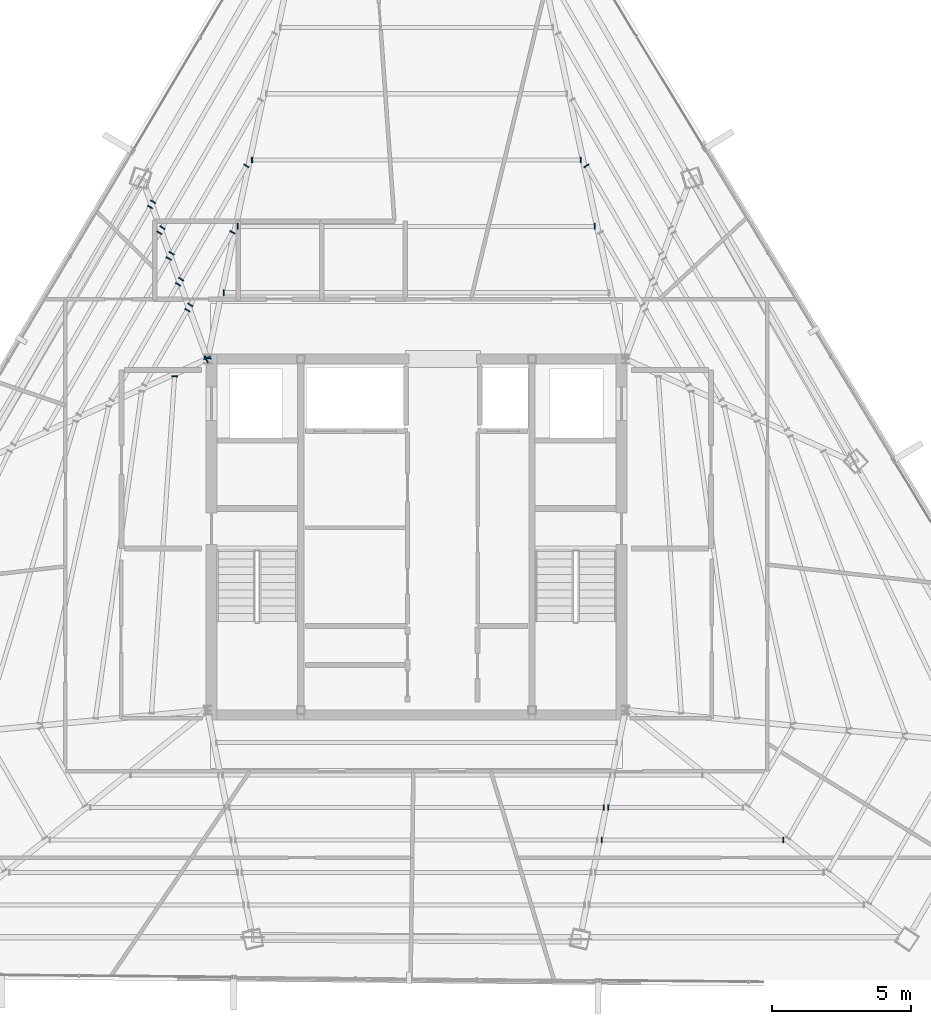
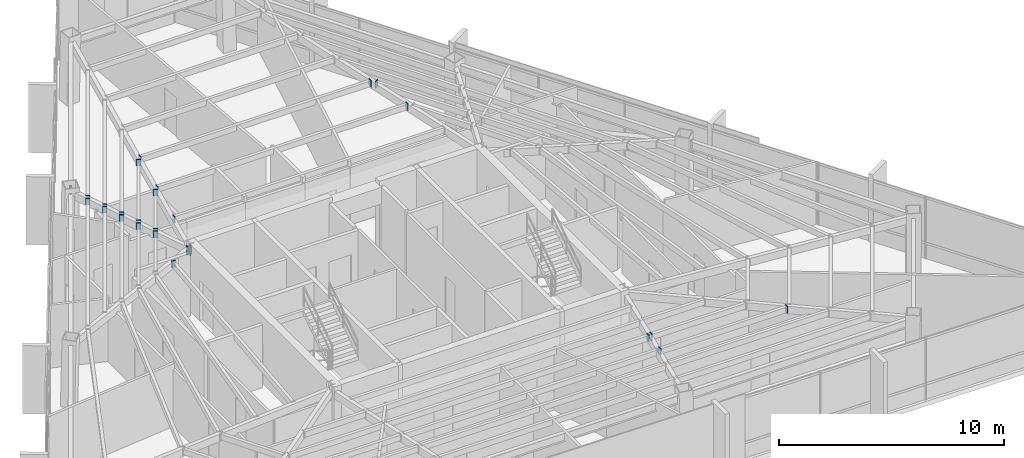
# One storey, part 39 of 47: 26 plates.
"""IFC4 building model written with IfcOpenShell, lengths in metres."""

from ifc_helpers import new_model, si_unit, direction, frame, origin, origin_2d, place, context, subcontext, project, spatial, rectangle, extrude, source, transform, mapped, material, layer, layer_set, type_object, type_shapes, element, save


model = new_model("IFC4")

# Units and contexts
model_context = context("Model", 3, precision=1e-05, world=origin(), true_north=direction((0.0, 1.0)))
body_context = subcontext(model_context, "Body", "Model", "MODEL_VIEW")
ifc_project = project(units=[si_unit("LENGTHUNIT", "METRE"), si_unit("AREAUNIT", "SQUARE_METRE"), si_unit("VOLUMEUNIT", "CUBIC_METRE"), si_unit("PLANEANGLEUNIT", "RADIAN"), si_unit("MASSUNIT", "GRAM", prefix="KILO")], contexts=[model_context])

# Site, building, storey
site_placement = place(None, origin())
site = spatial("IfcSite", under=ifc_project, at=site_placement, CompositionType="ELEMENT")
building_placement = place(site_placement, origin())
building = spatial("IfcBuilding", under=site, at=building_placement, Name="Caelisora Broadcast Tower", CompositionType="ELEMENT")
storey_placement = place(building_placement, frame((0.0, 0.0, 248.10009765625)))
storey = spatial("IfcBuildingStorey", under=building, at=storey_placement, Name="L65", CompositionType="ELEMENT", Elevation=248.10009765625)

# Plates
ifc_material = material(Name="Steel Grade 350 L15 (AS/NZS 3678)", Category="steel")
ifc_layer = layer(ifc_material, 0.0400390625, Name="Steel Grade 350 L15 (AS/NZS 3678)")
ifc_layer_set = layer_set([ifc_layer], Name="Steel Grade 350 L15 (AS/NZS 3678)")
plate_type = type_object("IfcPlateType", Name="GP04", PredefinedType="USERDEFINED", material=ifc_layer_set)
shared_shape_1 = source(origin(), body_context, "Body", "SweptSolid", [
    extrude(rectangle(XDim=0.260009765625, YDim=0.0400390625, at=origin_2d()), origin(), (0.0, 0.0, 1.0), 0.4599609375),
])
for number, where, z_axis, x_axis, name in (
    (1, (30.50830078125, 30.0390625, 2.969970703125), (0.0, 0.0, 1.0), (-0.978147600734, 0.207911690818, 0.0), "L65 gusset plate GP04 (ND-RAD-L65-02)"),
    (2, (30.486328125, 30.03759765625, 2.969970703125), (0.0, 0.0, 1.0), (-0.940466220425, -0.339887169865, 0.0), "L65 gusset plate GP04 (ND-RAD-L65-03)"),
    (3, (30.46337890625, 29.9833984375, 2.969970703125), (0.0, 0.0, 1.0), (0.411673422216, -0.91133143995, 0.0), "L65 gusset plate GP04 (ND-RAD-L65-04)"),
):
    element("IfcPlate", number, at=place(storey_placement, frame(where, z_axis=z_axis, x_axis=x_axis)), inside=storey, type_object=plate_type, Name=name, ObjectType="GUSSET PLATE", PredefinedType="USERDEFINED", context=body_context, shape_type="MappedRepresentation", body=[
        mapped(shared_shape_1, transform((0.0, 0.0, 0.0), scale=1.0)),
    ])
shared_shape_2 = source(origin(), body_context, "Body", "SweptSolid", [
    extrude(rectangle(XDim=0.2099609375, YDim=0.0400390625, at=origin_2d()), origin(), (0.0, 0.0, 1.0), 0.360107421875),
])
type_shapes(plate_type, [shared_shape_1, shared_shape_2])
for number, where, z_axis, x_axis, name in (
    (4, (31.085205078125, 32.380859375, 3.06982421875), (0.0, 0.0, 1.0), (0.0, -1.0, 0.0), "L65 gusset plate GP04 (ND-SB-L65-001B)"),
    (5, (44.408447265625, 34.761962890625, 3.06982421875), (0.0, 0.0, 1.0), (0.0, -1.0, 0.0), "L65 gusset plate GP04 (ND-SB-L65-002A)"),
    (6, (31.591552734375, 34.761962890625, 3.06982421875), (0.0, 0.0, 1.0), (0.0, -1.0, 0.0), "L65 gusset plate GP04 (ND-SB-L65-002B)"),
    (7, (43.90234375, 37.142822265625, 3.06982421875), (0.0, 0.0, 1.0), (0.0, -1.0, 0.0), "L65 gusset plate GP04 (ND-SB-L65-003A)"),
    (8, (32.09765625, 37.142822265625, 3.06982421875), (0.0, 0.0, 1.0), (0.0, -1.0, 0.0), "L65 gusset plate GP04 (ND-SB-L65-003B)"),
    (9, (31.39208984375, 34.5537109375, 3.06982421875), (0.0, 0.0, 1.0), (0.866025403784, -0.5, 0.0), "L65 gusset plate GP04 (ND-SB-L65-007A)"),
    (10, (29.885009765625, 31.943603515625, 3.06982421875), (0.0, 0.0, 1.0), (0.866025403784, -0.5, 0.0), "L65 gusset plate GP04 (ND-SB-L65-007B)"),
    (11, (31.898193359375, 36.934814453125, 3.06982421875), (0.0, 0.0, 1.0), (0.866025403784, -0.5, 0.0), "L65 gusset plate GP04 (ND-SB-L65-008A)"),
    (12, (29.55078125, 32.86865234375, 3.06982421875), (0.0, 0.0, 1.0), (0.866025403784, -0.5, 0.0), "L65 gusset plate GP04 (ND-SB-L65-008B)"),
    (13, (29.21630859375, 33.793701171875, 3.06982421875), (0.0, 0.0, 1.0), (0.866025403784, -0.5, 0.0), "L65 gusset plate GP04 (ND-SB-L65-009B)"),
    (14, (28.8818359375, 34.71875, 3.06982421875), (0.0, 0.0, 1.0), (0.866025403784, -0.5, 0.0), "L65 gusset plate GP04 (ND-SB-L65-010B)"),
    (15, (28.547607421875, 35.643798828125, 3.06982421875), (0.0, 0.0, 1.0), (0.866025403784, -0.5, 0.0), "L65 gusset plate GP04 (ND-SB-L65-011B)"),
    (16, (29.77734375, 31.7568359375, 3.06982421875), (0.0, 0.0, 1.0), (0.866025403784, -0.5, 0.0), "L65 gusset plate GP04 (ND-SB-L65-012A)"),
    (17, (29.44287109375, 32.681884765625, 3.06982421875), (0.0, 0.0, 1.0), (0.866025403784, -0.5, 0.0), "L65 gusset plate GP04 (ND-SB-L65-013A)"),
    (18, (29.1083984375, 33.60693359375, 3.06982421875), (0.0, 0.0, 1.0), (0.866025403784, -0.5, 0.0), "L65 gusset plate GP04 (ND-SB-L65-014A)"),
    (19, (28.774169921875, 34.531982421875, 3.06982421875), (0.0, 0.0, 1.0), (0.866025403784, -0.5, 0.0), "L65 gusset plate GP04 (ND-SB-L65-015A)"),
    (20, (28.439697265625, 35.457275390625, 3.06982421875), (0.0, 0.0, 1.0), (0.866025403784, -0.5, 0.0), "L65 gusset plate GP04 (ND-SB-L65-016A)"),
    (21, (29.31884765625, 29.37890625, 3.06982421875), (0.0, 0.0, 1.0), (0.997660476238, -0.068363544026, 0.0), "L65 gusset plate GP04 (ND-SB-L65-017A)"),
    (22, (44.728515625, 13.90283203125, 3.06982421875), (0.0, 0.0, 1.0), (0.0, 1.0, 0.0), "L65 gusset plate GP04 (ND-SB-L65-033B)"),
    (23, (44.88623046875, 13.90283203125, 3.06982421875), (0.0, 0.0, 1.0), (0.0, 1.0, 0.0), "L65 gusset plate GP04 (ND-SB-L65-038A)"),
    (24, (44.6552734375, 12.737060546875, 3.06982421875), (0.0, 0.0, 1.0), (0.0, 1.0, 0.0), "L65 gusset plate GP04 (ND-SB-L65-039A)"),
    (25, (51.1640625, 12.737060546875, 3.06982421875), (0.0, 0.0, 1.0), (0.0, 1.0, 0.0), "L65 gusset plate GP04 (ND-SB-L65-039B)"),
    (26, (44.101806640625, 36.934814453125, 3.06982421875), (0.0, 0.0, 1.0), (-0.866025403784, -0.5, 0.0), "L65 gusset plate GP04 (ND-SB-L65-057B)"),
):
    element("IfcPlate", number, at=place(storey_placement, frame(where, z_axis=z_axis, x_axis=x_axis)), inside=storey, type_object=plate_type, Name=name, ObjectType="GUSSET PLATE", PredefinedType="USERDEFINED", context=body_context, shape_type="MappedRepresentation", body=[
        mapped(shared_shape_2, transform((0.0, 0.0, 0.0), scale=1.0)),
    ])

save(model, "model.ifc")
